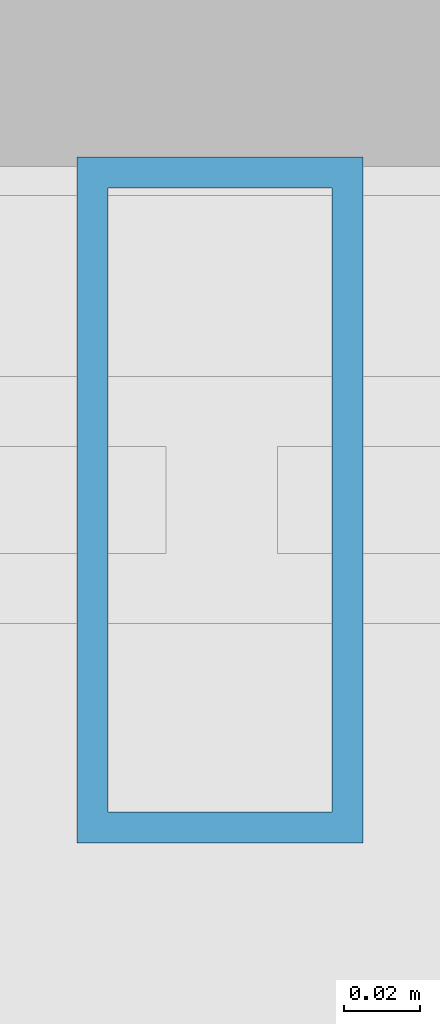
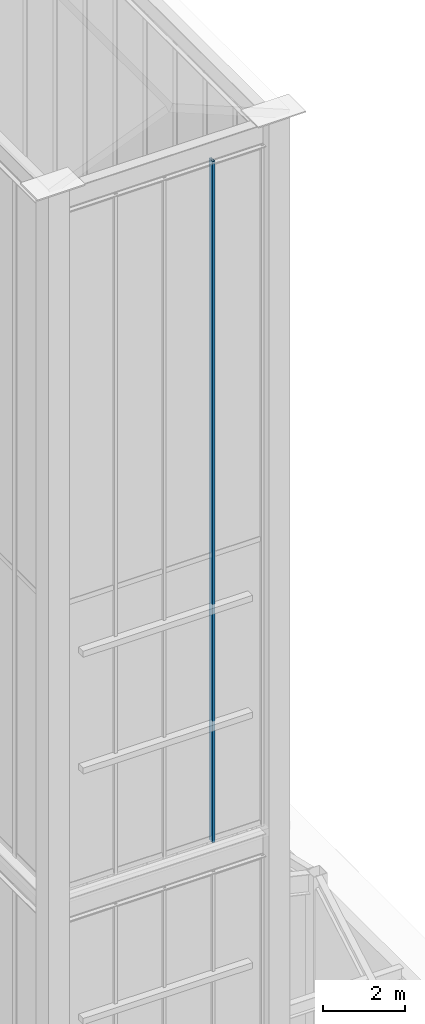
# One storey, part 42 of 135: 1 member, 1 element without a shape of its own.
"""IFC4 building model written with IfcOpenShell, lengths in metres."""

from ifc_helpers import new_model, si_unit, direction, frame, origin, origin_2d, place, context, subcontext, project, spatial, hollow_rectangle, extrude, source, transform, mapped, material, layer, layer_set, material_profile, profile_set, type_object, element, aggregate, save


model = new_model("IFC4")

# Units and contexts
model_context = context("Model", 3, precision=1e-05, world=origin(), true_north=direction((0.0, 1.0)))
body_context = subcontext(model_context, "Body", "Model", "MODEL_VIEW")
ifc_project = project(units=[si_unit("LENGTHUNIT", "METRE"), si_unit("AREAUNIT", "SQUARE_METRE"), si_unit("VOLUMEUNIT", "CUBIC_METRE"), si_unit("PLANEANGLEUNIT", "RADIAN"), si_unit("MASSUNIT", "GRAM", prefix="KILO")], contexts=[model_context])

# Site, building, storey
site_placement = place(None, origin())
site = spatial("IfcSite", under=ifc_project, at=site_placement, CompositionType="ELEMENT")
building_placement = place(site_placement, origin())
building = spatial("IfcBuilding", under=site, at=building_placement, Name="Giltprow Tower", CompositionType="ELEMENT")
storey_placement = place(building_placement, frame((0.0, 0.0, 352.699951171875)))
storey = spatial("IfcBuildingStorey", under=building, at=storey_placement, Name="L92", CompositionType="ELEMENT", Elevation=352.699951171875)

# Curtain wall, member
ifc_material = material(Name="Anodized bronze", Category="metal")
ifc_layer = layer(ifc_material, 0.179931640625, Name="Anodized bronze")
ifc_layer_set = layer_set([ifc_layer], Name="Anodized bronze")
curtain_wall_type = type_object("IfcCurtainWallType", Name="CW-CROWN-LANTERN", PredefinedType="NOTDEFINED", material=ifc_layer_set)
curtain_wall_placement = place(storey_placement, origin())
curtain_wall = element("IfcCurtainWall", 1, at=curtain_wall_placement, inside=storey, type_object=curtain_wall_type, Name="Crown East Upper Lantern Glazing 1", PredefinedType="NOTDEFINED")
ifc_material_profile = material_profile(ifc_material, hollow_rectangle(XDim=0.074951171875, YDim=0.179931640625, WallThickness=0.008056640625, at=origin_2d()), Name="RHS 180x75x8")
ifc_profile_set = profile_set([ifc_material_profile], Name="Anodized bronze")
member_type = type_object("IfcMemberType", Name="CW-MULLION-180x75", PredefinedType="MULLION", material=ifc_profile_set)
shared_shape = source(origin(), body_context, "Body", "SweptSolid", [
    extrude(hollow_rectangle(XDim=0.074951171875, YDim=0.179931640625, WallThickness=0.008056640625, at=origin_2d()), origin(), (0.0, 0.0, 1.0), 20.406005859375),
])
member_placement = place(storey_placement, frame((48.81201171875, 23.5, 17.25), z_axis=(0.0, 0.0, 1.0), x_axis=(1.0, 0.0, 0.0)))
member = element("IfcMember", 2, at=member_placement, type_object=member_type, Name="Crown East Upper Lantern Glazing 1 Mullion 4", PredefinedType="MULLION", context=body_context, shape_type="MappedRepresentation", body=[
    mapped(shared_shape, transform((0.0, 0.0, 0.0), x_axis=(1.0, 0.0, 0.0), y_axis=(0.0, 1.0, 0.0), z_axis=(0.0, 0.0, 1.0), scale=1.0)),
])
aggregate(curtain_wall, [member])

save(model, "model.ifc")
